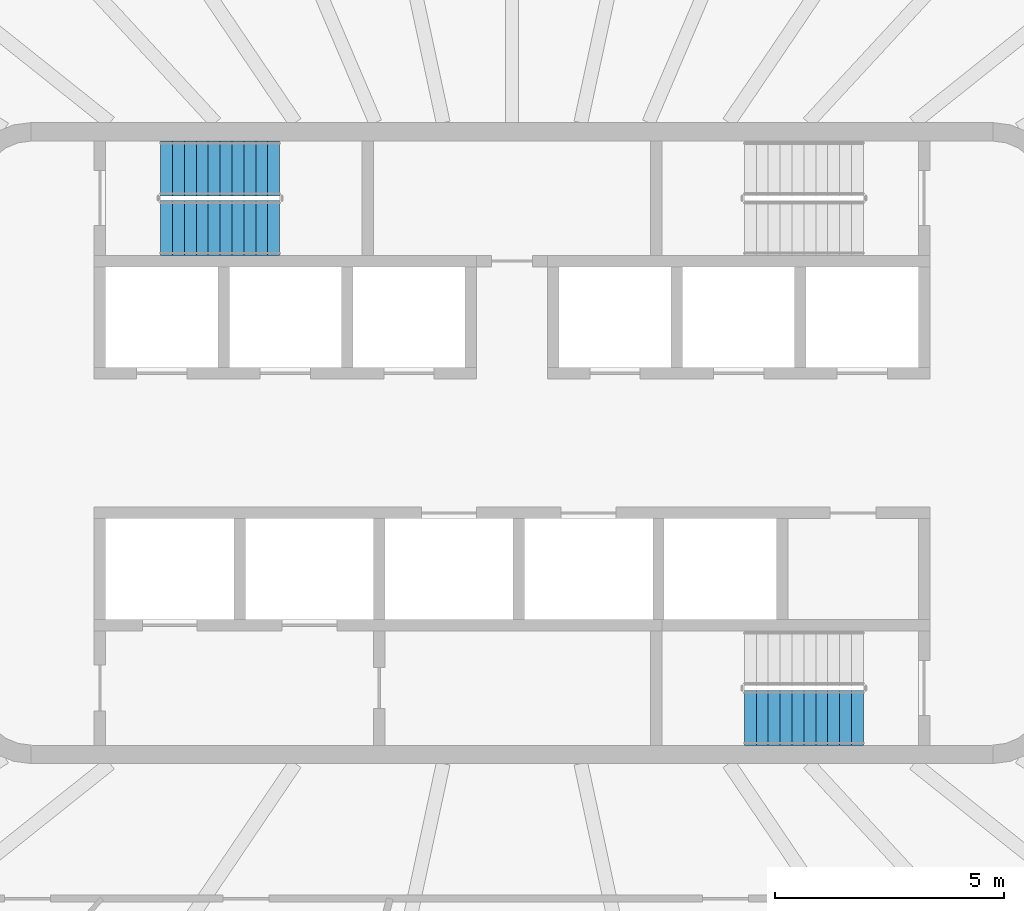
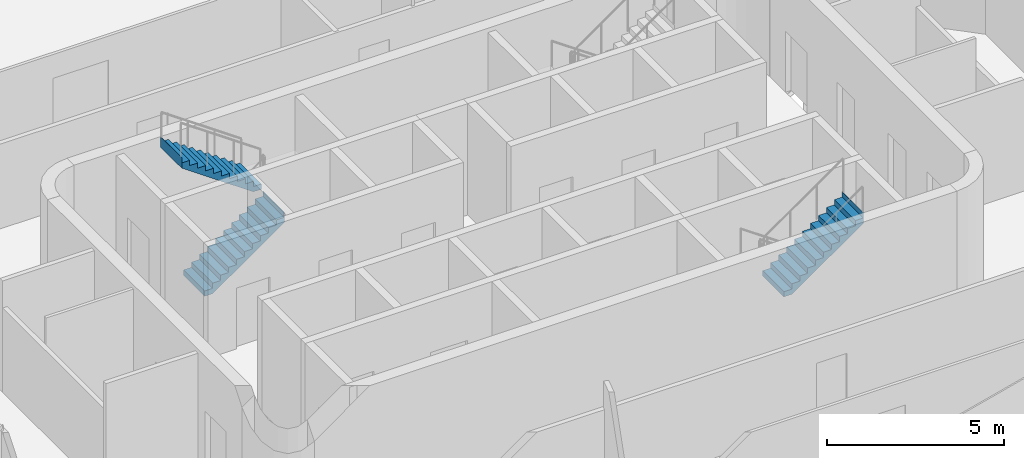
# One storey, part 12 of 19: 3 stair flights, 2 elements without a shape of their own.
"""IFC4 building model written with IfcOpenShell, lengths in metres."""

from ifc_helpers import new_model, si_unit, direction, frame, origin, place, context, subcontext, project, spatial, triangles, material, type_object, element, aggregate, save


model = new_model("IFC4")

# Units and contexts
model_context = context("Model", 3, precision=1e-05, world=origin(), true_north=direction((0.0, 1.0)))
body_context = subcontext(model_context, "Body", "Model", "MODEL_VIEW")
ifc_project = project(units=[si_unit("LENGTHUNIT", "METRE"), si_unit("AREAUNIT", "SQUARE_METRE"), si_unit("VOLUMEUNIT", "CUBIC_METRE"), si_unit("PLANEANGLEUNIT", "RADIAN"), si_unit("MASSUNIT", "GRAM", prefix="KILO")], contexts=[model_context])

# Site, building, storey
site_placement = place(None, origin())
site = spatial("IfcSite", under=ifc_project, at=site_placement, CompositionType="ELEMENT")
building_placement = place(site_placement, origin())
building = spatial("IfcBuilding", under=site, at=building_placement, Name="Sahrelin Media Tower", CompositionType="ELEMENT")
storey_placement = place(building_placement, frame((0.0, 0.0, 279.0)))
storey = spatial("IfcBuildingStorey", under=building, at=storey_placement, Name="L61", CompositionType="ELEMENT", Elevation=279.0)

# Stair, stair flights
ifc_material = material(Name="Concrete C40/50", Category="concrete")
stair_type = type_object("IfcStairType", Name="Exit stair 1200", PredefinedType="HALF_TURN_STAIR", material=ifc_material)
placement = place(storey_placement, origin())
stair_1 = element("IfcStair", 1, at=placement, inside=storey, type_object=stair_type, Name="L61 Exit stair ST1", PredefinedType="HALF_TURN_STAIR")
stair_flight_type = type_object("IfcStairFlightType", Name="Stair flight 1200", PredefinedType="STRAIGHT", material=ifc_material)
stair_flight_1_placement = place(storey_placement, frame((-7.675048828125, 4.699951171875, 0.0), z_axis=(0.0, 0.0, 1.0), x_axis=(1.0, 0.0, 0.0)))
stair_flight_1 = element("IfcStairFlight", 2, at=stair_flight_1_placement, type_object=stair_flight_type, Name="ST1 flight 1", NumberOfRisers=11, NumberOfTreads=10, PredefinedType="STRAIGHT", RiserHeight=0.181818182, TreadLength=0.26, context=body_context, shape_type="Tessellation", body=[
    triangles([(0.261474609375, 0.60009765625, 0.0), (0.261474609375, 0.300048828125, 0.0), (0.261474609375, 0.0, 0.0), (0.261474609375, -0.300048828125, 0.0), (0.261474609375, -0.60009765625, 0.0), (2.60009765625, 0.60009765625, 1.63525390625), (2.60009765625, 0.300048828125, 1.63525390625), (2.60009765625, 0.0, 1.63525390625), (2.60009765625, -0.300048828125, 1.63525390625), (2.60009765625, -0.60009765625, 1.63525390625), (2.60009765625, 0.60009765625, 2.0), (2.60009765625, 0.300048828125, 2.0), (2.60009765625, 0.0, 2.0), (2.60009765625, -0.300048828125, 2.0), (2.60009765625, -0.60009765625, 2.0), (2.597900390625, 0.60009765625, 2.0), (2.597900390625, 0.300048828125, 2.0), (2.597900390625, 0.0, 2.0), (2.597900390625, -0.300048828125, 2.0), (2.597900390625, -0.60009765625, 2.0), (2.597900390625, 0.60009765625, 1.818115234375), (2.597900390625, 0.300048828125, 1.818115234375), (2.597900390625, 0.0, 1.818115234375), (2.597900390625, -0.300048828125, 1.818115234375), (2.597900390625, -0.60009765625, 1.818115234375), (2.340087890625, 0.60009765625, 1.818115234375), (2.340087890625, 0.300048828125, 1.818115234375), (2.340087890625, 0.0, 1.818115234375), (2.340087890625, -0.300048828125, 1.818115234375), (2.340087890625, -0.60009765625, 1.818115234375), (2.340087890625, 0.60009765625, 1.636474609375), (2.340087890625, 0.300048828125, 1.636474609375), (2.340087890625, 0.0, 1.636474609375), (2.340087890625, -0.300048828125, 1.636474609375), (2.340087890625, -0.60009765625, 1.636474609375), (2.080078125, 0.60009765625, 1.636474609375), (2.080078125, 0.300048828125, 1.636474609375), (2.080078125, 0.0, 1.636474609375), (2.080078125, -0.300048828125, 1.636474609375), (2.080078125, -0.60009765625, 1.636474609375), (2.080078125, 0.60009765625, 1.45458984375), (2.080078125, 0.300048828125, 1.45458984375), (2.080078125, 0.0, 1.45458984375), (2.080078125, -0.300048828125, 1.45458984375), (2.080078125, -0.60009765625, 1.45458984375), (1.820068359375, 0.60009765625, 1.45458984375), (1.820068359375, 0.300048828125, 1.45458984375), (1.820068359375, 0.0, 1.45458984375), (1.820068359375, -0.300048828125, 1.45458984375), (1.820068359375, -0.60009765625, 1.45458984375), (1.820068359375, 0.60009765625, 1.272705078125), (1.820068359375, 0.300048828125, 1.272705078125), (1.820068359375, 0.0, 1.272705078125), (1.820068359375, -0.300048828125, 1.272705078125), (1.820068359375, -0.60009765625, 1.272705078125), (1.56005859375, 0.60009765625, 1.272705078125), (1.56005859375, 0.300048828125, 1.272705078125), (1.56005859375, 0.0, 1.272705078125), (1.56005859375, -0.300048828125, 1.272705078125), (1.56005859375, -0.60009765625, 1.272705078125), (1.56005859375, 0.60009765625, 1.0908203125), (1.56005859375, 0.300048828125, 1.0908203125), (1.56005859375, 0.0, 1.0908203125), (1.56005859375, -0.300048828125, 1.0908203125), (1.56005859375, -0.60009765625, 1.0908203125), (1.300048828125, 0.60009765625, 1.0908203125), (1.300048828125, 0.300048828125, 1.0908203125), (1.300048828125, 0.0, 1.0908203125), (1.300048828125, -0.300048828125, 1.0908203125), (1.300048828125, -0.60009765625, 1.0908203125), (1.300048828125, 0.60009765625, 0.9091796875), (1.300048828125, 0.300048828125, 0.9091796875), (1.300048828125, 0.0, 0.9091796875), (1.300048828125, -0.300048828125, 0.9091796875), (1.300048828125, -0.60009765625, 0.9091796875), (1.0400390625, 0.60009765625, 0.9091796875), (1.0400390625, 0.300048828125, 0.9091796875), (1.0400390625, 0.0, 0.9091796875), (1.0400390625, -0.300048828125, 0.9091796875), (1.0400390625, -0.60009765625, 0.9091796875), (1.0400390625, 0.60009765625, 0.727294921875), (1.0400390625, 0.300048828125, 0.727294921875), (1.0400390625, 0.0, 0.727294921875), (1.0400390625, -0.300048828125, 0.727294921875), (1.0400390625, -0.60009765625, 0.727294921875), (0.780029296875, 0.60009765625, 0.727294921875), (0.780029296875, 0.300048828125, 0.727294921875), (0.780029296875, 0.0, 0.727294921875), (0.780029296875, -0.300048828125, 0.727294921875), (0.780029296875, -0.60009765625, 0.727294921875), (0.780029296875, 0.60009765625, 0.54541015625), (0.780029296875, 0.300048828125, 0.54541015625), (0.780029296875, 0.0, 0.54541015625), (0.780029296875, -0.300048828125, 0.54541015625), (0.780029296875, -0.60009765625, 0.54541015625), (0.52001953125, 0.60009765625, 0.54541015625), (0.52001953125, 0.300048828125, 0.54541015625), (0.52001953125, 0.0, 0.54541015625), (0.52001953125, -0.300048828125, 0.54541015625), (0.52001953125, -0.60009765625, 0.54541015625), (0.52001953125, 0.60009765625, 0.363525390625), (0.52001953125, 0.300048828125, 0.363525390625), (0.52001953125, 0.0, 0.363525390625), (0.52001953125, -0.300048828125, 0.363525390625), (0.52001953125, -0.60009765625, 0.363525390625), (0.260009765625, 0.60009765625, 0.363525390625), (0.260009765625, 0.300048828125, 0.363525390625), (0.260009765625, 0.0, 0.363525390625), (0.260009765625, -0.300048828125, 0.363525390625), (0.260009765625, -0.60009765625, 0.363525390625), (0.260009765625, 0.60009765625, 0.181884765625), (0.260009765625, 0.300048828125, 0.181884765625), (0.260009765625, 0.0, 0.181884765625), (0.260009765625, -0.300048828125, 0.181884765625), (0.260009765625, -0.60009765625, 0.181884765625), (0.0, 0.60009765625, 0.181884765625), (0.0, 0.300048828125, 0.181884765625), (0.0, 0.0, 0.181884765625), (0.0, -0.300048828125, 0.181884765625), (0.0, -0.60009765625, 0.181884765625), (0.0, 0.60009765625, 0.0), (0.0, 0.300048828125, 0.0), (0.0, 0.0, 0.0), (0.0, -0.300048828125, 0.0), (0.0, -0.60009765625, 0.0)], [[1, 6, 7], [1, 7, 2], [2, 7, 8], [2, 8, 3], [3, 8, 9], [3, 9, 4], [4, 9, 10], [4, 10, 5], [6, 11, 12], [6, 12, 7], [7, 12, 13], [7, 13, 8], [8, 13, 14], [8, 14, 9], [9, 14, 15], [9, 15, 10], [11, 16, 17], [11, 17, 12], [12, 17, 18], [12, 18, 13], [13, 18, 19], [13, 19, 14], [14, 19, 20], [14, 20, 15], [16, 21, 22], [16, 22, 17], [17, 22, 23], [17, 23, 18], [18, 23, 24], [18, 24, 19], [19, 24, 25], [19, 25, 20], [21, 26, 27], [21, 27, 22], [22, 27, 28], [22, 28, 23], [23, 28, 29], [23, 29, 24], [24, 29, 30], [24, 30, 25], [26, 31, 32], [26, 32, 27], [27, 32, 33], [27, 33, 28], [28, 33, 34], [28, 34, 29], [29, 34, 35], [29, 35, 30], [31, 36, 37], [31, 37, 32], [32, 37, 38], [32, 38, 33], [33, 38, 39], [33, 39, 34], [34, 39, 40], [34, 40, 35], [36, 41, 42], [36, 42, 37], [37, 42, 43], [37, 43, 38], [38, 43, 44], [38, 44, 39], [39, 44, 45], [39, 45, 40], [41, 46, 47], [41, 47, 42], [42, 47, 48], [42, 48, 43], [43, 48, 49], [43, 49, 44], [44, 49, 50], [44, 50, 45], [46, 51, 52], [46, 52, 47], [47, 52, 53], [47, 53, 48], [48, 53, 54], [48, 54, 49], [49, 54, 55], [49, 55, 50], [51, 56, 57], [51, 57, 52], [52, 57, 58], [52, 58, 53], [53, 58, 59], [53, 59, 54], [54, 59, 60], [54, 60, 55], [56, 61, 62], [56, 62, 57], [57, 62, 63], [57, 63, 58], [58, 63, 64], [58, 64, 59], [59, 64, 65], [59, 65, 60], [61, 66, 67], [61, 67, 62], [62, 67, 68], [62, 68, 63], [63, 68, 69], [63, 69, 64], [64, 69, 70], [64, 70, 65], [66, 71, 72], [66, 72, 67], [67, 72, 73], [67, 73, 68], [68, 73, 74], [68, 74, 69], [69, 74, 75], [69, 75, 70], [71, 76, 77], [71, 77, 72], [72, 77, 78], [72, 78, 73], [73, 78, 79], [73, 79, 74], [74, 79, 80], [74, 80, 75], [76, 81, 82], [76, 82, 77], [77, 82, 83], [77, 83, 78], [78, 83, 84], [78, 84, 79], [79, 84, 85], [79, 85, 80], [81, 86, 87], [81, 87, 82], [82, 87, 88], [82, 88, 83], [83, 88, 89], [83, 89, 84], [84, 89, 90], [84, 90, 85], [86, 91, 92], [86, 92, 87], [87, 92, 93], [87, 93, 88], [88, 93, 94], [88, 94, 89], [89, 94, 95], [89, 95, 90], [91, 96, 97], [91, 97, 92], [92, 97, 98], [92, 98, 93], [93, 98, 99], [93, 99, 94], [94, 99, 100], [94, 100, 95], [96, 101, 102], [96, 102, 97], [97, 102, 103], [97, 103, 98], [98, 103, 104], [98, 104, 99], [99, 104, 105], [99, 105, 100], [101, 106, 107], [101, 107, 102], [102, 107, 108], [102, 108, 103], [103, 108, 109], [103, 109, 104], [104, 109, 110], [104, 110, 105], [106, 111, 112], [106, 112, 107], [107, 112, 113], [107, 113, 108], [108, 113, 114], [108, 114, 109], [109, 114, 115], [109, 115, 110], [111, 116, 117], [111, 117, 112], [112, 117, 118], [112, 118, 113], [113, 118, 119], [113, 119, 114], [114, 119, 120], [114, 120, 115], [116, 121, 122], [116, 122, 117], [117, 122, 123], [117, 123, 118], [118, 123, 124], [118, 124, 119], [119, 124, 125], [119, 125, 120], [121, 1, 2], [121, 2, 122], [122, 2, 3], [122, 3, 123], [123, 3, 4], [123, 4, 124], [124, 4, 5], [124, 5, 125], [115, 120, 125], [111, 121, 116], [115, 105, 110], [111, 106, 101], [105, 95, 100], [101, 96, 91], [95, 85, 90], [91, 86, 81], [85, 75, 80], [81, 76, 71], [75, 65, 70], [71, 66, 61], [65, 55, 60], [61, 56, 51], [55, 45, 50], [51, 46, 41], [45, 35, 40], [41, 36, 31], [35, 25, 30], [31, 26, 21], [25, 15, 20], [21, 16, 11], [125, 5, 115], [121, 111, 1], [25, 10, 15], [21, 11, 6], [105, 115, 5], [101, 1, 111], [35, 10, 25], [31, 21, 6], [95, 105, 5], [91, 1, 101], [45, 10, 35], [41, 31, 6], [85, 95, 5], [81, 1, 91], [55, 10, 45], [51, 41, 6], [75, 85, 5], [71, 1, 81], [65, 10, 55], [61, 51, 6], [5, 10, 75], [1, 71, 6], [75, 10, 65], [71, 61, 6]], closed=True),
])
stair_flight_2_placement = place(storey_placement, frame((-5.074951171875, 6.0, 2.0), z_axis=(0.0, 0.0, 1.0), x_axis=(-1.0, 0.0, 0.0)))
stair_flight_2 = element("IfcStairFlight", 3, at=stair_flight_2_placement, type_object=stair_flight_type, Name="ST1 flight 2", NumberOfRisers=11, NumberOfTreads=10, PredefinedType="STRAIGHT", RiserHeight=0.181818182, TreadLength=0.26, context=body_context, shape_type="Tessellation", body=[
    triangles([(0.261474609375, 0.60009765625, 0.0), (0.261474609375, 0.300048828125, 0.0), (0.261474609375, 0.0, 0.0), (0.261474609375, -0.300048828125, 0.0), (0.261474609375, -0.60009765625, 0.0), (2.60009765625, 0.60009765625, 1.63525390625), (2.60009765625, 0.300048828125, 1.63525390625), (2.60009765625, 0.0, 1.63525390625), (2.60009765625, -0.300048828125, 1.63525390625), (2.60009765625, -0.60009765625, 1.63525390625), (2.60009765625, 0.60009765625, 2.0), (2.60009765625, 0.300048828125, 2.0), (2.60009765625, 0.0, 2.0), (2.60009765625, -0.300048828125, 2.0), (2.60009765625, -0.60009765625, 2.0), (2.597900390625, 0.60009765625, 2.0), (2.597900390625, 0.300048828125, 2.0), (2.597900390625, 0.0, 2.0), (2.597900390625, -0.300048828125, 2.0), (2.597900390625, -0.60009765625, 2.0), (2.597900390625, 0.60009765625, 1.818115234375), (2.597900390625, 0.300048828125, 1.818115234375), (2.597900390625, 0.0, 1.818115234375), (2.597900390625, -0.300048828125, 1.818115234375), (2.597900390625, -0.60009765625, 1.818115234375), (2.340087890625, 0.60009765625, 1.818115234375), (2.340087890625, 0.300048828125, 1.818115234375), (2.340087890625, 0.0, 1.818115234375), (2.340087890625, -0.300048828125, 1.818115234375), (2.340087890625, -0.60009765625, 1.818115234375), (2.340087890625, 0.60009765625, 1.636474609375), (2.340087890625, 0.300048828125, 1.636474609375), (2.340087890625, 0.0, 1.636474609375), (2.340087890625, -0.300048828125, 1.636474609375), (2.340087890625, -0.60009765625, 1.636474609375), (2.080078125, 0.60009765625, 1.636474609375), (2.080078125, 0.300048828125, 1.636474609375), (2.080078125, 0.0, 1.636474609375), (2.080078125, -0.300048828125, 1.636474609375), (2.080078125, -0.60009765625, 1.636474609375), (2.080078125, 0.60009765625, 1.45458984375), (2.080078125, 0.300048828125, 1.45458984375), (2.080078125, 0.0, 1.45458984375), (2.080078125, -0.300048828125, 1.45458984375), (2.080078125, -0.60009765625, 1.45458984375), (1.820068359375, 0.60009765625, 1.45458984375), (1.820068359375, 0.300048828125, 1.45458984375), (1.820068359375, 0.0, 1.45458984375), (1.820068359375, -0.300048828125, 1.45458984375), (1.820068359375, -0.60009765625, 1.45458984375), (1.820068359375, 0.60009765625, 1.272705078125), (1.820068359375, 0.300048828125, 1.272705078125), (1.820068359375, 0.0, 1.272705078125), (1.820068359375, -0.300048828125, 1.272705078125), (1.820068359375, -0.60009765625, 1.272705078125), (1.56005859375, 0.60009765625, 1.272705078125), (1.56005859375, 0.300048828125, 1.272705078125), (1.56005859375, 0.0, 1.272705078125), (1.56005859375, -0.300048828125, 1.272705078125), (1.56005859375, -0.60009765625, 1.272705078125), (1.56005859375, 0.60009765625, 1.0908203125), (1.56005859375, 0.300048828125, 1.0908203125), (1.56005859375, 0.0, 1.0908203125), (1.56005859375, -0.300048828125, 1.0908203125), (1.56005859375, -0.60009765625, 1.0908203125), (1.300048828125, 0.60009765625, 1.0908203125), (1.300048828125, 0.300048828125, 1.0908203125), (1.300048828125, 0.0, 1.0908203125), (1.300048828125, -0.300048828125, 1.0908203125), (1.300048828125, -0.60009765625, 1.0908203125), (1.300048828125, 0.60009765625, 0.9091796875), (1.300048828125, 0.300048828125, 0.9091796875), (1.300048828125, 0.0, 0.9091796875), (1.300048828125, -0.300048828125, 0.9091796875), (1.300048828125, -0.60009765625, 0.9091796875), (1.0400390625, 0.60009765625, 0.9091796875), (1.0400390625, 0.300048828125, 0.9091796875), (1.0400390625, 0.0, 0.9091796875), (1.0400390625, -0.300048828125, 0.9091796875), (1.0400390625, -0.60009765625, 0.9091796875), (1.0400390625, 0.60009765625, 0.727294921875), (1.0400390625, 0.300048828125, 0.727294921875), (1.0400390625, 0.0, 0.727294921875), (1.0400390625, -0.300048828125, 0.727294921875), (1.0400390625, -0.60009765625, 0.727294921875), (0.780029296875, 0.60009765625, 0.727294921875), (0.780029296875, 0.300048828125, 0.727294921875), (0.780029296875, 0.0, 0.727294921875), (0.780029296875, -0.300048828125, 0.727294921875), (0.780029296875, -0.60009765625, 0.727294921875), (0.780029296875, 0.60009765625, 0.54541015625), (0.780029296875, 0.300048828125, 0.54541015625), (0.780029296875, 0.0, 0.54541015625), (0.780029296875, -0.300048828125, 0.54541015625), (0.780029296875, -0.60009765625, 0.54541015625), (0.52001953125, 0.60009765625, 0.54541015625), (0.52001953125, 0.300048828125, 0.54541015625), (0.52001953125, 0.0, 0.54541015625), (0.52001953125, -0.300048828125, 0.54541015625), (0.52001953125, -0.60009765625, 0.54541015625), (0.52001953125, 0.60009765625, 0.363525390625), (0.52001953125, 0.300048828125, 0.363525390625), (0.52001953125, 0.0, 0.363525390625), (0.52001953125, -0.300048828125, 0.363525390625), (0.52001953125, -0.60009765625, 0.363525390625), (0.260009765625, 0.60009765625, 0.363525390625), (0.260009765625, 0.300048828125, 0.363525390625), (0.260009765625, 0.0, 0.363525390625), (0.260009765625, -0.300048828125, 0.363525390625), (0.260009765625, -0.60009765625, 0.363525390625), (0.260009765625, 0.60009765625, 0.181884765625), (0.260009765625, 0.300048828125, 0.181884765625), (0.260009765625, 0.0, 0.181884765625), (0.260009765625, -0.300048828125, 0.181884765625), (0.260009765625, -0.60009765625, 0.181884765625), (0.0, 0.60009765625, 0.181884765625), (0.0, 0.300048828125, 0.181884765625), (0.0, 0.0, 0.181884765625), (0.0, -0.300048828125, 0.181884765625), (0.0, -0.60009765625, 0.181884765625), (0.0, 0.60009765625, 0.0), (0.0, 0.300048828125, 0.0), (0.0, 0.0, 0.0), (0.0, -0.300048828125, 0.0), (0.0, -0.60009765625, 0.0)], [[1, 6, 7], [1, 7, 2], [2, 7, 8], [2, 8, 3], [3, 8, 9], [3, 9, 4], [4, 9, 10], [4, 10, 5], [6, 11, 12], [6, 12, 7], [7, 12, 13], [7, 13, 8], [8, 13, 14], [8, 14, 9], [9, 14, 15], [9, 15, 10], [11, 16, 17], [11, 17, 12], [12, 17, 18], [12, 18, 13], [13, 18, 19], [13, 19, 14], [14, 19, 20], [14, 20, 15], [16, 21, 22], [16, 22, 17], [17, 22, 23], [17, 23, 18], [18, 23, 24], [18, 24, 19], [19, 24, 25], [19, 25, 20], [21, 26, 27], [21, 27, 22], [22, 27, 28], [22, 28, 23], [23, 28, 29], [23, 29, 24], [24, 29, 30], [24, 30, 25], [26, 31, 32], [26, 32, 27], [27, 32, 33], [27, 33, 28], [28, 33, 34], [28, 34, 29], [29, 34, 35], [29, 35, 30], [31, 36, 37], [31, 37, 32], [32, 37, 38], [32, 38, 33], [33, 38, 39], [33, 39, 34], [34, 39, 40], [34, 40, 35], [36, 41, 42], [36, 42, 37], [37, 42, 43], [37, 43, 38], [38, 43, 44], [38, 44, 39], [39, 44, 45], [39, 45, 40], [41, 46, 47], [41, 47, 42], [42, 47, 48], [42, 48, 43], [43, 48, 49], [43, 49, 44], [44, 49, 50], [44, 50, 45], [46, 51, 52], [46, 52, 47], [47, 52, 53], [47, 53, 48], [48, 53, 54], [48, 54, 49], [49, 54, 55], [49, 55, 50], [51, 56, 57], [51, 57, 52], [52, 57, 58], [52, 58, 53], [53, 58, 59], [53, 59, 54], [54, 59, 60], [54, 60, 55], [56, 61, 62], [56, 62, 57], [57, 62, 63], [57, 63, 58], [58, 63, 64], [58, 64, 59], [59, 64, 65], [59, 65, 60], [61, 66, 67], [61, 67, 62], [62, 67, 68], [62, 68, 63], [63, 68, 69], [63, 69, 64], [64, 69, 70], [64, 70, 65], [66, 71, 72], [66, 72, 67], [67, 72, 73], [67, 73, 68], [68, 73, 74], [68, 74, 69], [69, 74, 75], [69, 75, 70], [71, 76, 77], [71, 77, 72], [72, 77, 78], [72, 78, 73], [73, 78, 79], [73, 79, 74], [74, 79, 80], [74, 80, 75], [76, 81, 82], [76, 82, 77], [77, 82, 83], [77, 83, 78], [78, 83, 84], [78, 84, 79], [79, 84, 85], [79, 85, 80], [81, 86, 87], [81, 87, 82], [82, 87, 88], [82, 88, 83], [83, 88, 89], [83, 89, 84], [84, 89, 90], [84, 90, 85], [86, 91, 92], [86, 92, 87], [87, 92, 93], [87, 93, 88], [88, 93, 94], [88, 94, 89], [89, 94, 95], [89, 95, 90], [91, 96, 97], [91, 97, 92], [92, 97, 98], [92, 98, 93], [93, 98, 99], [93, 99, 94], [94, 99, 100], [94, 100, 95], [96, 101, 102], [96, 102, 97], [97, 102, 103], [97, 103, 98], [98, 103, 104], [98, 104, 99], [99, 104, 105], [99, 105, 100], [101, 106, 107], [101, 107, 102], [102, 107, 108], [102, 108, 103], [103, 108, 109], [103, 109, 104], [104, 109, 110], [104, 110, 105], [106, 111, 112], [106, 112, 107], [107, 112, 113], [107, 113, 108], [108, 113, 114], [108, 114, 109], [109, 114, 115], [109, 115, 110], [111, 116, 117], [111, 117, 112], [112, 117, 118], [112, 118, 113], [113, 118, 119], [113, 119, 114], [114, 119, 120], [114, 120, 115], [116, 121, 122], [116, 122, 117], [117, 122, 123], [117, 123, 118], [118, 123, 124], [118, 124, 119], [119, 124, 125], [119, 125, 120], [121, 1, 2], [121, 2, 122], [122, 2, 3], [122, 3, 123], [123, 3, 4], [123, 4, 124], [124, 4, 5], [124, 5, 125], [115, 120, 125], [111, 121, 116], [115, 105, 110], [111, 106, 101], [105, 95, 100], [101, 96, 91], [95, 85, 90], [91, 86, 81], [85, 75, 80], [81, 76, 71], [75, 65, 70], [71, 66, 61], [65, 55, 60], [61, 56, 51], [55, 45, 50], [51, 46, 41], [45, 35, 40], [41, 36, 31], [35, 25, 30], [31, 26, 21], [25, 15, 20], [21, 16, 11], [125, 5, 115], [121, 111, 1], [25, 10, 15], [21, 11, 6], [105, 115, 5], [101, 1, 111], [35, 10, 25], [31, 21, 6], [95, 105, 5], [91, 1, 101], [45, 10, 35], [41, 31, 6], [85, 95, 5], [81, 1, 91], [55, 10, 45], [51, 41, 6], [75, 85, 5], [71, 1, 81], [65, 10, 55], [61, 51, 6], [5, 10, 75], [1, 71, 6], [75, 10, 65], [71, 61, 6]], closed=True),
])
aggregate(stair_1, [stair_flight_1, stair_flight_2])

# Stair, stair flight
stair_2 = element("IfcStair", 4, at=placement, inside=storey, type_object=stair_type, Name="L61 Exit stair ST2", PredefinedType="HALF_TURN_STAIR")
stair_flight_3_placement = place(storey_placement, frame((5.074951171875, -6.0, 2.0), z_axis=(0.0, 0.0, 1.0), x_axis=(1.0, 0.0, 0.0)))
stair_flight_3 = element("IfcStairFlight", 5, at=stair_flight_3_placement, type_object=stair_flight_type, Name="ST2 flight 2", NumberOfRisers=11, NumberOfTreads=10, PredefinedType="STRAIGHT", RiserHeight=0.181818182, TreadLength=0.26, context=body_context, shape_type="Tessellation", body=[
    triangles([(0.261474609375, 0.60009765625, 0.0), (0.261474609375, 0.300048828125, 0.0), (0.261474609375, 0.0, 0.0), (0.261474609375, -0.300048828125, 0.0), (0.261474609375, -0.60009765625, 0.0), (2.60009765625, 0.60009765625, 1.63525390625), (2.60009765625, 0.300048828125, 1.63525390625), (2.60009765625, 0.0, 1.63525390625), (2.60009765625, -0.300048828125, 1.63525390625), (2.60009765625, -0.60009765625, 1.63525390625), (2.60009765625, 0.60009765625, 2.0), (2.60009765625, 0.300048828125, 2.0), (2.60009765625, 0.0, 2.0), (2.60009765625, -0.300048828125, 2.0), (2.60009765625, -0.60009765625, 2.0), (2.597900390625, 0.60009765625, 2.0), (2.597900390625, 0.300048828125, 2.0), (2.597900390625, 0.0, 2.0), (2.597900390625, -0.300048828125, 2.0), (2.597900390625, -0.60009765625, 2.0), (2.597900390625, 0.60009765625, 1.818115234375), (2.597900390625, 0.300048828125, 1.818115234375), (2.597900390625, 0.0, 1.818115234375), (2.597900390625, -0.300048828125, 1.818115234375), (2.597900390625, -0.60009765625, 1.818115234375), (2.340087890625, 0.60009765625, 1.818115234375), (2.340087890625, 0.300048828125, 1.818115234375), (2.340087890625, 0.0, 1.818115234375), (2.340087890625, -0.300048828125, 1.818115234375), (2.340087890625, -0.60009765625, 1.818115234375), (2.340087890625, 0.60009765625, 1.636474609375), (2.340087890625, 0.300048828125, 1.636474609375), (2.340087890625, 0.0, 1.636474609375), (2.340087890625, -0.300048828125, 1.636474609375), (2.340087890625, -0.60009765625, 1.636474609375), (2.080078125, 0.60009765625, 1.636474609375), (2.080078125, 0.300048828125, 1.636474609375), (2.080078125, 0.0, 1.636474609375), (2.080078125, -0.300048828125, 1.636474609375), (2.080078125, -0.60009765625, 1.636474609375), (2.080078125, 0.60009765625, 1.45458984375), (2.080078125, 0.300048828125, 1.45458984375), (2.080078125, 0.0, 1.45458984375), (2.080078125, -0.300048828125, 1.45458984375), (2.080078125, -0.60009765625, 1.45458984375), (1.820068359375, 0.60009765625, 1.45458984375), (1.820068359375, 0.300048828125, 1.45458984375), (1.820068359375, 0.0, 1.45458984375), (1.820068359375, -0.300048828125, 1.45458984375), (1.820068359375, -0.60009765625, 1.45458984375), (1.820068359375, 0.60009765625, 1.272705078125), (1.820068359375, 0.300048828125, 1.272705078125), (1.820068359375, 0.0, 1.272705078125), (1.820068359375, -0.300048828125, 1.272705078125), (1.820068359375, -0.60009765625, 1.272705078125), (1.56005859375, 0.60009765625, 1.272705078125), (1.56005859375, 0.300048828125, 1.272705078125), (1.56005859375, 0.0, 1.272705078125), (1.56005859375, -0.300048828125, 1.272705078125), (1.56005859375, -0.60009765625, 1.272705078125), (1.56005859375, 0.60009765625, 1.0908203125), (1.56005859375, 0.300048828125, 1.0908203125), (1.56005859375, 0.0, 1.0908203125), (1.56005859375, -0.300048828125, 1.0908203125), (1.56005859375, -0.60009765625, 1.0908203125), (1.300048828125, 0.60009765625, 1.0908203125), (1.300048828125, 0.300048828125, 1.0908203125), (1.300048828125, 0.0, 1.0908203125), (1.300048828125, -0.300048828125, 1.0908203125), (1.300048828125, -0.60009765625, 1.0908203125), (1.300048828125, 0.60009765625, 0.9091796875), (1.300048828125, 0.300048828125, 0.9091796875), (1.300048828125, 0.0, 0.9091796875), (1.300048828125, -0.300048828125, 0.9091796875), (1.300048828125, -0.60009765625, 0.9091796875), (1.0400390625, 0.60009765625, 0.9091796875), (1.0400390625, 0.300048828125, 0.9091796875), (1.0400390625, 0.0, 0.9091796875), (1.0400390625, -0.300048828125, 0.9091796875), (1.0400390625, -0.60009765625, 0.9091796875), (1.0400390625, 0.60009765625, 0.727294921875), (1.0400390625, 0.300048828125, 0.727294921875), (1.0400390625, 0.0, 0.727294921875), (1.0400390625, -0.300048828125, 0.727294921875), (1.0400390625, -0.60009765625, 0.727294921875), (0.780029296875, 0.60009765625, 0.727294921875), (0.780029296875, 0.300048828125, 0.727294921875), (0.780029296875, 0.0, 0.727294921875), (0.780029296875, -0.300048828125, 0.727294921875), (0.780029296875, -0.60009765625, 0.727294921875), (0.780029296875, 0.60009765625, 0.54541015625), (0.780029296875, 0.300048828125, 0.54541015625), (0.780029296875, 0.0, 0.54541015625), (0.780029296875, -0.300048828125, 0.54541015625), (0.780029296875, -0.60009765625, 0.54541015625), (0.52001953125, 0.60009765625, 0.54541015625), (0.52001953125, 0.300048828125, 0.54541015625), (0.52001953125, 0.0, 0.54541015625), (0.52001953125, -0.300048828125, 0.54541015625), (0.52001953125, -0.60009765625, 0.54541015625), (0.52001953125, 0.60009765625, 0.363525390625), (0.52001953125, 0.300048828125, 0.363525390625), (0.52001953125, 0.0, 0.363525390625), (0.52001953125, -0.300048828125, 0.363525390625), (0.52001953125, -0.60009765625, 0.363525390625), (0.260009765625, 0.60009765625, 0.363525390625), (0.260009765625, 0.300048828125, 0.363525390625), (0.260009765625, 0.0, 0.363525390625), (0.260009765625, -0.300048828125, 0.363525390625), (0.260009765625, -0.60009765625, 0.363525390625), (0.260009765625, 0.60009765625, 0.181884765625), (0.260009765625, 0.300048828125, 0.181884765625), (0.260009765625, 0.0, 0.181884765625), (0.260009765625, -0.300048828125, 0.181884765625), (0.260009765625, -0.60009765625, 0.181884765625), (0.0, 0.60009765625, 0.181884765625), (0.0, 0.300048828125, 0.181884765625), (0.0, 0.0, 0.181884765625), (0.0, -0.300048828125, 0.181884765625), (0.0, -0.60009765625, 0.181884765625), (0.0, 0.60009765625, 0.0), (0.0, 0.300048828125, 0.0), (0.0, 0.0, 0.0), (0.0, -0.300048828125, 0.0), (0.0, -0.60009765625, 0.0)], [[1, 6, 7], [1, 7, 2], [2, 7, 8], [2, 8, 3], [3, 8, 9], [3, 9, 4], [4, 9, 10], [4, 10, 5], [6, 11, 12], [6, 12, 7], [7, 12, 13], [7, 13, 8], [8, 13, 14], [8, 14, 9], [9, 14, 15], [9, 15, 10], [11, 16, 17], [11, 17, 12], [12, 17, 18], [12, 18, 13], [13, 18, 19], [13, 19, 14], [14, 19, 20], [14, 20, 15], [16, 21, 22], [16, 22, 17], [17, 22, 23], [17, 23, 18], [18, 23, 24], [18, 24, 19], [19, 24, 25], [19, 25, 20], [21, 26, 27], [21, 27, 22], [22, 27, 28], [22, 28, 23], [23, 28, 29], [23, 29, 24], [24, 29, 30], [24, 30, 25], [26, 31, 32], [26, 32, 27], [27, 32, 33], [27, 33, 28], [28, 33, 34], [28, 34, 29], [29, 34, 35], [29, 35, 30], [31, 36, 37], [31, 37, 32], [32, 37, 38], [32, 38, 33], [33, 38, 39], [33, 39, 34], [34, 39, 40], [34, 40, 35], [36, 41, 42], [36, 42, 37], [37, 42, 43], [37, 43, 38], [38, 43, 44], [38, 44, 39], [39, 44, 45], [39, 45, 40], [41, 46, 47], [41, 47, 42], [42, 47, 48], [42, 48, 43], [43, 48, 49], [43, 49, 44], [44, 49, 50], [44, 50, 45], [46, 51, 52], [46, 52, 47], [47, 52, 53], [47, 53, 48], [48, 53, 54], [48, 54, 49], [49, 54, 55], [49, 55, 50], [51, 56, 57], [51, 57, 52], [52, 57, 58], [52, 58, 53], [53, 58, 59], [53, 59, 54], [54, 59, 60], [54, 60, 55], [56, 61, 62], [56, 62, 57], [57, 62, 63], [57, 63, 58], [58, 63, 64], [58, 64, 59], [59, 64, 65], [59, 65, 60], [61, 66, 67], [61, 67, 62], [62, 67, 68], [62, 68, 63], [63, 68, 69], [63, 69, 64], [64, 69, 70], [64, 70, 65], [66, 71, 72], [66, 72, 67], [67, 72, 73], [67, 73, 68], [68, 73, 74], [68, 74, 69], [69, 74, 75], [69, 75, 70], [71, 76, 77], [71, 77, 72], [72, 77, 78], [72, 78, 73], [73, 78, 79], [73, 79, 74], [74, 79, 80], [74, 80, 75], [76, 81, 82], [76, 82, 77], [77, 82, 83], [77, 83, 78], [78, 83, 84], [78, 84, 79], [79, 84, 85], [79, 85, 80], [81, 86, 87], [81, 87, 82], [82, 87, 88], [82, 88, 83], [83, 88, 89], [83, 89, 84], [84, 89, 90], [84, 90, 85], [86, 91, 92], [86, 92, 87], [87, 92, 93], [87, 93, 88], [88, 93, 94], [88, 94, 89], [89, 94, 95], [89, 95, 90], [91, 96, 97], [91, 97, 92], [92, 97, 98], [92, 98, 93], [93, 98, 99], [93, 99, 94], [94, 99, 100], [94, 100, 95], [96, 101, 102], [96, 102, 97], [97, 102, 103], [97, 103, 98], [98, 103, 104], [98, 104, 99], [99, 104, 105], [99, 105, 100], [101, 106, 107], [101, 107, 102], [102, 107, 108], [102, 108, 103], [103, 108, 109], [103, 109, 104], [104, 109, 110], [104, 110, 105], [106, 111, 112], [106, 112, 107], [107, 112, 113], [107, 113, 108], [108, 113, 114], [108, 114, 109], [109, 114, 115], [109, 115, 110], [111, 116, 117], [111, 117, 112], [112, 117, 118], [112, 118, 113], [113, 118, 119], [113, 119, 114], [114, 119, 120], [114, 120, 115], [116, 121, 122], [116, 122, 117], [117, 122, 123], [117, 123, 118], [118, 123, 124], [118, 124, 119], [119, 124, 125], [119, 125, 120], [121, 1, 2], [121, 2, 122], [122, 2, 3], [122, 3, 123], [123, 3, 4], [123, 4, 124], [124, 4, 5], [124, 5, 125], [115, 120, 125], [111, 121, 116], [115, 105, 110], [111, 106, 101], [105, 95, 100], [101, 96, 91], [95, 85, 90], [91, 86, 81], [85, 75, 80], [81, 76, 71], [75, 65, 70], [71, 66, 61], [65, 55, 60], [61, 56, 51], [55, 45, 50], [51, 46, 41], [45, 35, 40], [41, 36, 31], [35, 25, 30], [31, 26, 21], [25, 15, 20], [21, 16, 11], [125, 5, 115], [121, 111, 1], [25, 10, 15], [21, 11, 6], [105, 115, 5], [101, 1, 111], [35, 10, 25], [31, 21, 6], [95, 105, 5], [91, 1, 101], [45, 10, 35], [41, 31, 6], [85, 95, 5], [81, 1, 91], [55, 10, 45], [51, 41, 6], [75, 85, 5], [71, 1, 81], [65, 10, 55], [61, 51, 6], [5, 10, 75], [1, 71, 6], [75, 10, 65], [71, 61, 6]], closed=True),
])
aggregate(stair_2, [stair_flight_3])

save(model, "model.ifc")
